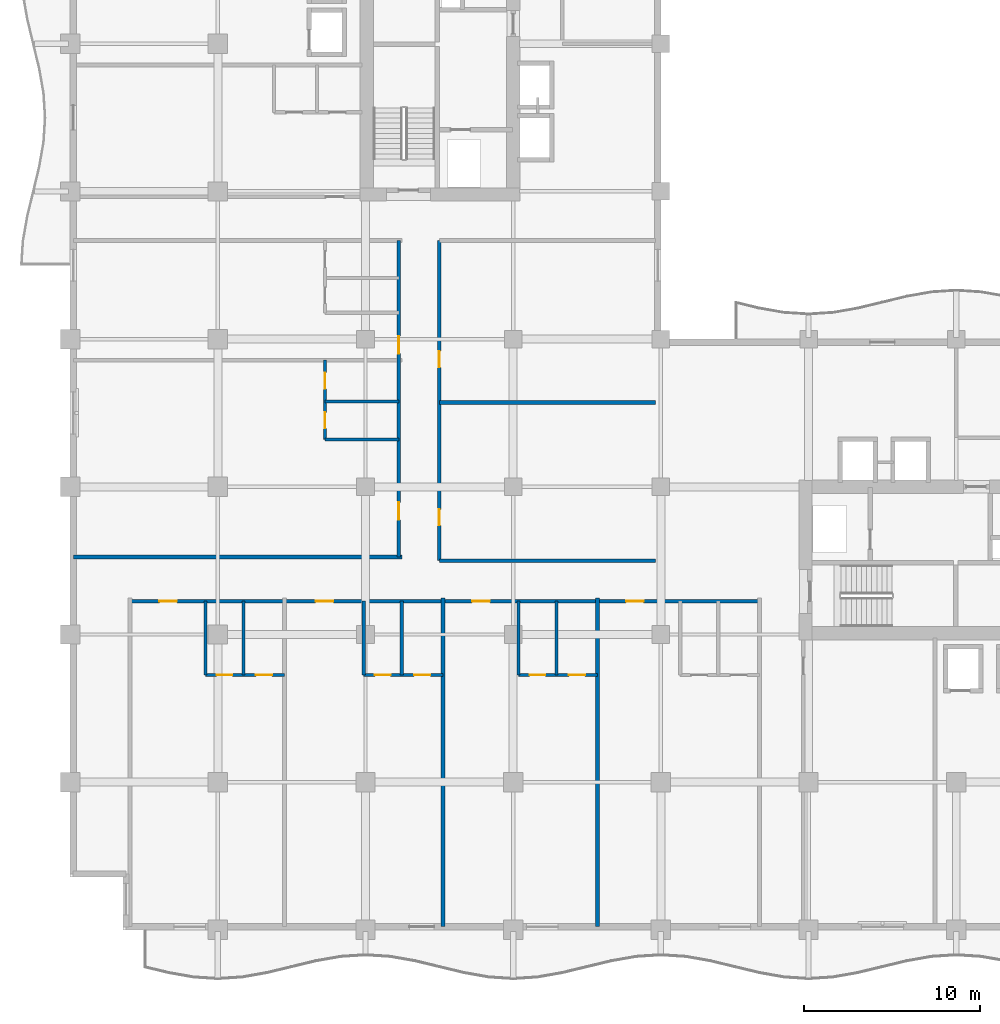
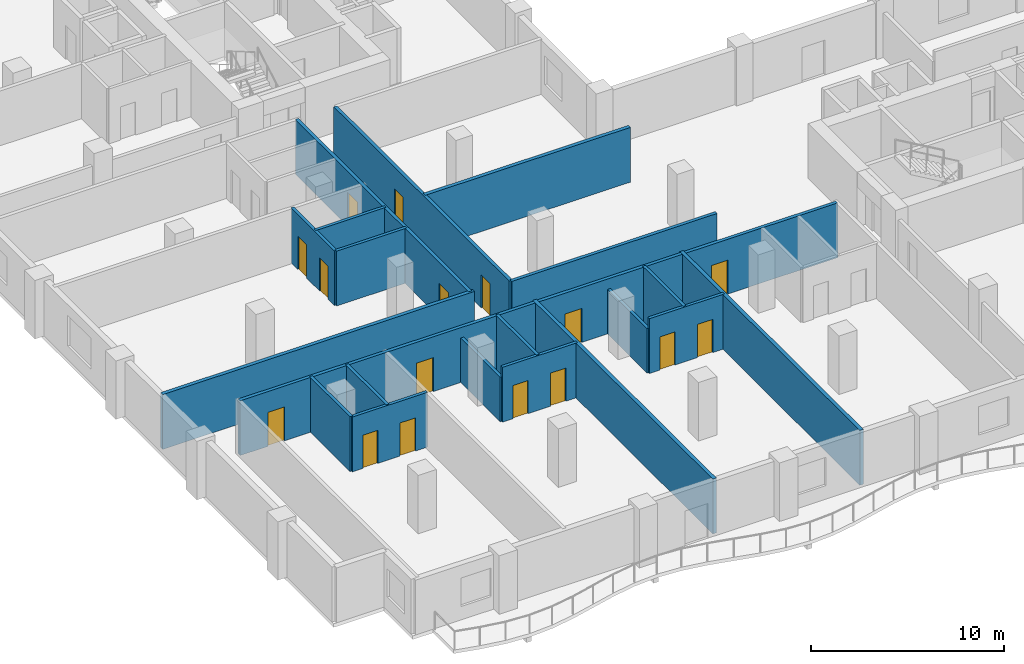
# One storey, part 7 of 20: 20 walls, 16 doors, 16 openings.
"""IFC4 building model written with IfcOpenShell, lengths in metres."""

from ifc_helpers import new_model, si_unit, direction, frame, frame_2d, origin, place, context, subcontext, project, spatial, rectangle, extrude, material, layer, layer_set, type_object, element, fill, save


model = new_model("IFC4")

# Units and contexts
model_context = context("Model", 3, precision=1e-05, world=origin(), true_north=direction((0.0, 1.0)))
body_context = subcontext(model_context, "Body", "Model", "MODEL_VIEW")
ifc_project = project(units=[si_unit("LENGTHUNIT", "METRE"), si_unit("AREAUNIT", "SQUARE_METRE"), si_unit("VOLUMEUNIT", "CUBIC_METRE"), si_unit("PLANEANGLEUNIT", "RADIAN"), si_unit("MASSUNIT", "GRAM", prefix="KILO")], contexts=[model_context])

# Site, building, storey
site_placement = place(None, origin())
site = spatial("IfcSite", under=ifc_project, at=site_placement, CompositionType="ELEMENT")
building_placement = place(site_placement, origin())
building = spatial("IfcBuilding", under=site, at=building_placement, Name="Koriwani Terraces Tower", CompositionType="ELEMENT")
storey_placement = place(building_placement, frame((0.0, 0.0, 175.39990234375)))
storey = spatial("IfcBuildingStorey", under=building, at=storey_placement, Name="L42", CompositionType="ELEMENT", Elevation=175.39990234375)

# Wall, openings, doors
ifc_material_1 = material(Name="Autoclaved Cellular Concrete Blockwork", Category="masonry")
ifc_layer_1 = layer(ifc_material_1, 0.199951171875, Name="Autoclaved Cellular Concrete Blockwork")
ifc_layer_set_1 = layer_set([ifc_layer_1], Name="Autoclaved Cellular Concrete Blockwork")
wall_type_1 = type_object("IfcWallType", Name="WALL_CORRIDOR_200", PredefinedType="PARTITIONING", material=ifc_layer_set_1)
wall_1_placement = place(storey_placement, frame((21.0, 21.0, 0.0), z_axis=(0.0, 0.0, 1.0), x_axis=(0.0, 1.0, 0.0)))
wall_1 = element("IfcWall", 1, at=wall_1_placement, inside=storey, type_object=wall_type_1, Name="L42 Interior Wall WIC2-W-L42", PredefinedType="PARTITIONING", context=body_context, shape_type="SweptSolid", body=[
    extrude(rectangle(XDim=18.199951171875, YDim=0.199951171875, at=frame_2d((9.10009765625, 0.0))), origin(), (0.0, 0.0, 1.0), 3.47021484375),
])
opening_1_placement = place(wall_1_placement, frame((2.0, 0.0, 0.0)))
opening_1 = element("IfcOpeningElement", 2, at=opening_1_placement, cuts=wall_1, Name="Opening D-06", PredefinedType="OPENING", context=body_context, shape_type="SweptSolid", body=[
    extrude(rectangle(XDim=0.919921875, YDim=2.10009765625, at=frame_2d((0.4599609375, 1.050048828125))), frame((0.0, 0.10986328125, 0.0), z_axis=(0.0, -1.0, 0.0), x_axis=(1.0, 0.0, 0.0)), (0.0, 0.0, 1.0), 0.219970703125),
])
opening_2_placement = place(wall_1_placement, frame((11.0, 0.0, 0.0)))
opening_2 = element("IfcOpeningElement", 3, at=opening_2_placement, cuts=wall_1, Name="Opening D-06", PredefinedType="OPENING", context=body_context, shape_type="SweptSolid", body=[
    extrude(rectangle(XDim=0.919921875, YDim=2.10009765625, at=frame_2d((0.4599609375, 1.050048828125))), frame((0.0, 0.10986328125, 0.0), z_axis=(0.0, -1.0, 0.0), x_axis=(1.0, 0.0, 0.0)), (0.0, 0.0, 1.0), 0.219970703125),
])
ifc_material_2 = material(Name="Architectural Oak Fire Door", Category="wood")
door_type_1 = type_object("IfcDoorType", Name="DOOR_ROOM_INT_920X2100", OperationType="NOTDEFINED", PredefinedType="DOOR", material=ifc_material_2)
door_1_placement = place(opening_1_placement, origin())
door_1 = element("IfcDoor", 4, at=door_1_placement, inside=storey, type_object=door_type_1, Name="L42 Inner Court Salon Door", OperationType="SINGLE_SWING_RIGHT", OverallHeight=2.10009765625, OverallWidth=0.919921875, PredefinedType="DOOR", context=body_context, shape_type="SweptSolid", body=[
    extrude(rectangle(XDim=0.919921875, YDim=2.10009765625, at=frame_2d((0.4599609375, 1.050048828125))), frame((0.0, 0.02490234375, 0.0), z_axis=(0.0, -1.0, 0.0), x_axis=(1.0, 0.0, 0.0)), (0.0, 0.0, 1.0), 0.050048828125),
])
fill(opening_1, door_1)
door_2_placement = place(opening_2_placement, origin())
door_2 = element("IfcDoor", 5, at=door_2_placement, inside=storey, type_object=door_type_1, Name="L42 Inner Court Media Room Door", OperationType="SINGLE_SWING_LEFT", OverallHeight=2.10009765625, OverallWidth=0.919921875, PredefinedType="DOOR", context=body_context, shape_type="SweptSolid", body=[
    extrude(rectangle(XDim=0.919921875, YDim=2.10009765625, at=frame_2d((0.4599609375, 1.050048828125))), frame((0.0, 0.02490234375, 0.0), z_axis=(0.0, -1.0, 0.0), x_axis=(1.0, 0.0, 0.0)), (0.0, 0.0, 1.0), 0.050048828125),
])
fill(opening_2, door_2)

# Wall
wall_2_placement = place(storey_placement, frame((21.0, 21.0, 0.0), z_axis=(0.0, 0.0, 1.0), x_axis=(1.0, 0.0, 0.0)))
element("IfcWall", 6, at=wall_2_placement, inside=storey, type_object=wall_type_1, Name="L42 Interior Wall WIC2-S-L42", PredefinedType="PARTITIONING", context=body_context, shape_type="SweptSolid", body=[
    extrude(rectangle(XDim=12.300048828125, YDim=0.199951171875, at=frame_2d((6.14990234375, 0.0))), origin(), (0.0, 0.0, 1.0), 3.47021484375),
])

# Wall, openings, doors
wall_3_placement = place(storey_placement, frame((3.39990234375, 18.699951171875, 0.0), z_axis=(0.0, 0.0, 1.0), x_axis=(1.0, 0.0, 0.0)))
wall_3 = element("IfcWall", 7, at=wall_3_placement, inside=storey, type_object=wall_type_1, Name="L42 Interior Wall WRCOR-L42-SW-0", PredefinedType="PARTITIONING", context=body_context, shape_type="SweptSolid", body=[
    extrude(rectangle(XDim=35.800048828125, YDim=0.199951171875, at=frame_2d((17.89990234375, 0.0))), origin(), (0.0, 0.0, 1.0), 3.47021484375),
])
opening_3_placement = place(wall_3_placement, frame((1.669921875, 0.0, 0.0)))
opening_3 = element("IfcOpeningElement", 8, at=opening_3_placement, cuts=wall_3, Name="Opening D-05", PredefinedType="OPENING", context=body_context, shape_type="SweptSolid", body=[
    extrude(rectangle(XDim=1.0, YDim=2.14990234375, at=frame_2d((0.5, 1.074951171875))), frame((0.0, 0.10986328125, 0.0), z_axis=(0.0, -1.0, 0.0), x_axis=(1.0, 0.0, 0.0)), (0.0, 0.0, 1.0), 0.219970703125),
])
opening_4_placement = place(wall_3_placement, frame((10.570068359375, 0.0, 0.0)))
opening_4 = element("IfcOpeningElement", 9, at=opening_4_placement, cuts=wall_3, Name="Opening D-05", PredefinedType="OPENING", context=body_context, shape_type="SweptSolid", body=[
    extrude(rectangle(XDim=1.0, YDim=2.14990234375, at=frame_2d((0.5, 1.074951171875))), frame((0.0, 0.10986328125, 0.0), z_axis=(0.0, -1.0, 0.0), x_axis=(1.0, 0.0, 0.0)), (0.0, 0.0, 1.0), 0.219970703125),
])
opening_5_placement = place(wall_3_placement, frame((19.469970703125, 0.0, 0.0)))
opening_5 = element("IfcOpeningElement", 10, at=opening_5_placement, cuts=wall_3, Name="Opening D-05", PredefinedType="OPENING", context=body_context, shape_type="SweptSolid", body=[
    extrude(rectangle(XDim=1.0, YDim=2.14990234375, at=frame_2d((0.5, 1.074951171875))), frame((0.0, 0.10986328125, 0.0), z_axis=(0.0, -1.0, 0.0), x_axis=(1.0, 0.0, 0.0)), (0.0, 0.0, 1.0), 0.219970703125),
])
opening_6_placement = place(wall_3_placement, frame((28.219970703125, 0.0, 0.0)))
opening_6 = element("IfcOpeningElement", 11, at=opening_6_placement, cuts=wall_3, Name="Opening D-05", PredefinedType="OPENING", context=body_context, shape_type="SweptSolid", body=[
    extrude(rectangle(XDim=1.0, YDim=2.14990234375, at=frame_2d((0.5, 1.074951171875))), frame((0.0, 0.10986328125, 0.0), z_axis=(0.0, -1.0, 0.0), x_axis=(1.0, 0.0, 0.0)), (0.0, 0.0, 1.0), 0.219970703125),
])
door_type_2 = type_object("IfcDoorType", Name="DOOR_SUITE_ENTRY_1000X2150", OperationType="NOTDEFINED", PredefinedType="DOOR", material=ifc_material_2)
door_3_placement = place(opening_3_placement, origin())
door_3 = element("IfcDoor", 12, at=door_3_placement, inside=storey, type_object=door_type_2, Name="Apartment 42SW1 Entrance Door", OperationType="SINGLE_SWING_RIGHT", OverallHeight=2.14990234375, OverallWidth=1.0, PredefinedType="DOOR", context=body_context, shape_type="SweptSolid", body=[
    extrude(rectangle(XDim=1.0, YDim=2.14990234375, at=frame_2d((0.5, 1.074951171875))), frame((0.0, 0.02490234375, 0.0), z_axis=(0.0, -1.0, 0.0), x_axis=(1.0, 0.0, 0.0)), (0.0, 0.0, 1.0), 0.050048828125),
])
fill(opening_3, door_3)
door_4_placement = place(opening_4_placement, origin())
door_4 = element("IfcDoor", 13, at=door_4_placement, inside=storey, type_object=door_type_2, Name="Apartment 42SW2 Entrance Door", OperationType="SINGLE_SWING_LEFT", OverallHeight=2.14990234375, OverallWidth=1.0, PredefinedType="DOOR", context=body_context, shape_type="SweptSolid", body=[
    extrude(rectangle(XDim=1.0, YDim=2.14990234375, at=frame_2d((0.5, 1.074951171875))), frame((0.0, 0.02490234375, 0.0), z_axis=(0.0, -1.0, 0.0), x_axis=(1.0, 0.0, 0.0)), (0.0, 0.0, 1.0), 0.050048828125),
])
fill(opening_4, door_4)
door_5_placement = place(opening_5_placement, origin())
door_5 = element("IfcDoor", 14, at=door_5_placement, inside=storey, type_object=door_type_2, Name="Apartment 42SW3 Entrance Door", OperationType="SINGLE_SWING_RIGHT", OverallHeight=2.14990234375, OverallWidth=1.0, PredefinedType="DOOR", context=body_context, shape_type="SweptSolid", body=[
    extrude(rectangle(XDim=1.0, YDim=2.14990234375, at=frame_2d((0.5, 1.074951171875))), frame((0.0, 0.02490234375, 0.0), z_axis=(0.0, -1.0, 0.0), x_axis=(1.0, 0.0, 0.0)), (0.0, 0.0, 1.0), 0.050048828125),
])
fill(opening_5, door_5)
door_6_placement = place(opening_6_placement, origin())
door_6 = element("IfcDoor", 15, at=door_6_placement, inside=storey, type_object=door_type_2, Name="Apartment 42SW4 Entrance Door", OperationType="SINGLE_SWING_LEFT", OverallHeight=2.14990234375, OverallWidth=1.0, PredefinedType="DOOR", context=body_context, shape_type="SweptSolid", body=[
    extrude(rectangle(XDim=1.0, YDim=2.14990234375, at=frame_2d((0.5, 1.074951171875))), frame((0.0, 0.02490234375, 0.0), z_axis=(0.0, -1.0, 0.0), x_axis=(1.0, 0.0, 0.0)), (0.0, 0.0, 1.0), 0.050048828125),
])
fill(opening_6, door_6)

wall_4_placement = place(storey_placement, frame((18.699951171875, 21.199951171875, 0.0), z_axis=(0.0, 0.0, 1.0), x_axis=(0.0, 1.0, 0.0)))
wall_4 = element("IfcWall", 16, at=wall_4_placement, inside=storey, type_object=wall_type_1, Name="L42 Interior Wall WRCOR-L42-NW-0", PredefinedType="PARTITIONING", context=body_context, shape_type="SweptSolid", body=[
    extrude(rectangle(XDim=18.0, YDim=0.199951171875, at=frame_2d((9.0, 0.0))), origin(), (0.0, 0.0, 1.0), 3.47021484375),
])
opening_7_placement = place(wall_4_placement, frame((2.1201171875, 0.0, 0.0)))
opening_7 = element("IfcOpeningElement", 17, at=opening_7_placement, cuts=wall_4, Name="Opening D-05", PredefinedType="OPENING", context=body_context, shape_type="SweptSolid", body=[
    extrude(rectangle(XDim=1.0, YDim=2.14990234375, at=frame_2d((0.5, 1.074951171875))), frame((0.0, 0.10986328125, 0.0), z_axis=(0.0, -1.0, 0.0), x_axis=(1.0, 0.0, 0.0)), (0.0, 0.0, 1.0), 0.219970703125),
])
opening_8_placement = place(wall_4_placement, frame((11.570068359375, 0.0, 0.0)))
opening_8 = element("IfcOpeningElement", 18, at=opening_8_placement, cuts=wall_4, Name="Opening D-05", PredefinedType="OPENING", context=body_context, shape_type="SweptSolid", body=[
    extrude(rectangle(XDim=1.0, YDim=2.14990234375, at=frame_2d((0.5, 1.074951171875))), frame((0.0, 0.10986328125, 0.0), z_axis=(0.0, -1.0, 0.0), x_axis=(1.0, 0.0, 0.0)), (0.0, 0.0, 1.0), 0.219970703125),
])
door_7_placement = place(opening_7_placement, origin())
door_7 = element("IfcDoor", 19, at=door_7_placement, inside=storey, type_object=door_type_2, Name="Apartment 42NW1 Entrance Door", OperationType="SINGLE_SWING_RIGHT", OverallHeight=2.14990234375, OverallWidth=1.0, PredefinedType="DOOR", context=body_context, shape_type="SweptSolid", body=[
    extrude(rectangle(XDim=1.0, YDim=2.14990234375, at=frame_2d((0.5, 1.074951171875))), frame((0.0, 0.02490234375, 0.0), z_axis=(0.0, -1.0, 0.0), x_axis=(1.0, 0.0, 0.0)), (0.0, 0.0, 1.0), 0.050048828125),
])
fill(opening_7, door_7)
door_8_placement = place(opening_8_placement, origin())
door_8 = element("IfcDoor", 20, at=door_8_placement, inside=storey, type_object=door_type_2, Name="Apartment 42NW2 Entrance Door", OperationType="SINGLE_SWING_LEFT", OverallHeight=2.14990234375, OverallWidth=1.0, PredefinedType="DOOR", context=body_context, shape_type="SweptSolid", body=[
    extrude(rectangle(XDim=1.0, YDim=2.14990234375, at=frame_2d((0.5, 1.074951171875))), frame((0.0, 0.02490234375, 0.0), z_axis=(0.0, -1.0, 0.0), x_axis=(1.0, 0.0, 0.0)), (0.0, 0.0, 1.0), 0.050048828125),
])
fill(opening_8, door_8)

# Walls
ifc_layer_2 = layer(ifc_material_1, 0.219970703125, Name="Autoclaved Cellular Concrete Blockwork")
ifc_layer_set_2 = layer_set([ifc_layer_2], Name="Autoclaved Cellular Concrete Blockwork")
wall_type_2 = type_object("IfcWallType", Name="WALL_DEMISING_220", PredefinedType="PARTITIONING", material=ifc_layer_set_2)
wall_5_placement = place(storey_placement, frame((21.0, 30.0, 0.0), z_axis=(0.0, 0.0, 1.0), x_axis=(1.0, 0.0, 0.0)))
element("IfcWall", 21, at=wall_5_placement, inside=storey, type_object=wall_type_2, Name="L42 Interior Wall WIC2-M-L42", PredefinedType="PARTITIONING", context=body_context, shape_type="SweptSolid", body=[
    extrude(rectangle(XDim=12.300048828125, YDim=0.219970703125, at=frame_2d((6.14990234375, 0.0))), origin(), (0.0, 0.0, 1.0), 3.47021484375),
])
for number, where, z_axis, x_axis, name in (
    (22, (21.199951171875, 0.199951171875, 0.0), (0.0, 0.0, 1.0), (0.0, 1.0, 0.0), "L42 Interior Wall WRDEM-L42-SW-2"),
    (23, (30.0, 0.199951171875, 0.0), (0.0, 0.0, 1.0), (0.0, 1.0, 0.0), "L42 Interior Wall WRDEM-L42-SW-3"),
    (24, (0.199951171875, 21.199951171875, 0.0), (0.0, 0.0, 1.0), (1.0, 0.0, 0.0), "L42 Interior Wall WRDEM-L42-NW-0"),
):
    element("IfcWall", number, at=place(storey_placement, frame(where, z_axis=z_axis, x_axis=x_axis)), inside=storey, type_object=wall_type_2, Name=name, PredefinedType="PARTITIONING", context=body_context, shape_type="SweptSolid", body=[
        extrude(rectangle(XDim=18.679931640625, YDim=0.219970703125, at=frame_2d((9.33984375, 0.0))), origin(), (0.0, 0.0, 1.0), 3.47021484375),
    ])

# Wall, openings, doors
ifc_material_3 = material(Name="Fire-Rated Acoustic Gypsum Partition", Category="masonry")
ifc_layer_3 = layer(ifc_material_3, 0.179931640625, Name="Fire-Rated Acoustic Gypsum Partition")
ifc_layer_set_3 = layer_set([ifc_layer_3], Name="Fire-Rated Acoustic Gypsum Partition")
wall_type_3 = type_object("IfcWallType", Name="WALL_PLUMBING_180", PredefinedType="PLUMBINGWALL", material=ifc_layer_set_3)
wall_6_placement = place(storey_placement, frame((7.699951171875, 14.5, 0.0), z_axis=(0.0, 0.0, 1.0), x_axis=(1.0, 0.0, 0.0)))
wall_6 = element("IfcWall", 25, at=wall_6_placement, inside=storey, type_object=wall_type_3, Name="L42 Interior Wall WRSVC-L42-SW-0", PredefinedType="PLUMBINGWALL", context=body_context, shape_type="SweptSolid", body=[
    extrude(rectangle(XDim=4.5, YDim=0.179931640625, at=frame_2d((2.25, 0.0))), origin(), (0.0, 0.0, 1.0), 3.47021484375),
])
opening_9_placement = place(wall_6_placement, frame((0.6298828125, 0.0, 0.0)))
opening_9 = element("IfcOpeningElement", 26, at=opening_9_placement, cuts=wall_6, Name="Opening D-07", PredefinedType="OPENING", context=body_context, shape_type="SweptSolid", body=[
    extrude(rectangle(XDim=0.89990234375, YDim=2.10009765625, at=frame_2d((0.449951171875, 1.050048828125))), frame((0.0, 0.10009765625, 0.0), z_axis=(0.0, -1.0, 0.0), x_axis=(1.0, 0.0, 0.0)), (0.0, 0.0, 1.0), 0.199951171875),
])
opening_10_placement = place(wall_6_placement, frame((2.8701171875, 0.0, 0.0)))
opening_10 = element("IfcOpeningElement", 27, at=opening_10_placement, cuts=wall_6, Name="Opening D-06", PredefinedType="OPENING", context=body_context, shape_type="SweptSolid", body=[
    extrude(rectangle(XDim=0.919921875, YDim=2.10009765625, at=frame_2d((0.4599609375, 1.050048828125))), frame((0.0, 0.10009765625, 0.0), z_axis=(0.0, -1.0, 0.0), x_axis=(1.0, 0.0, 0.0)), (0.0, 0.0, 1.0), 0.199951171875),
])
door_type_3 = type_object("IfcDoorType", Name="DOOR_BATH_INT_900X2100", OperationType="NOTDEFINED", PredefinedType="DOOR", material=ifc_material_2)
door_9_placement = place(opening_9_placement, origin())
door_9 = element("IfcDoor", 28, at=door_9_placement, inside=storey, type_object=door_type_3, Name="Apartment 42SW1 Bathroom Door", OperationType="SINGLE_SWING_LEFT", OverallHeight=2.10009765625, OverallWidth=0.89990234375, PredefinedType="DOOR", context=body_context, shape_type="SweptSolid", body=[
    extrude(rectangle(XDim=0.89990234375, YDim=2.10009765625, at=frame_2d((0.449951171875, 1.050048828125))), frame((0.0, 0.02490234375, 0.0), z_axis=(0.0, -1.0, 0.0), x_axis=(1.0, 0.0, 0.0)), (0.0, 0.0, 1.0), 0.050048828125),
])
fill(opening_9, door_9)
door_10_placement = place(opening_10_placement, origin())
door_10 = element("IfcDoor", 29, at=door_10_placement, inside=storey, type_object=door_type_1, Name="Apartment 42SW1 Kitchen Door", OperationType="SINGLE_SWING_RIGHT", OverallHeight=2.10009765625, OverallWidth=0.919921875, PredefinedType="DOOR", context=body_context, shape_type="SweptSolid", body=[
    extrude(rectangle(XDim=0.919921875, YDim=2.10009765625, at=frame_2d((0.4599609375, 1.050048828125))), frame((0.0, 0.02490234375, 0.0), z_axis=(0.0, -1.0, 0.0), x_axis=(1.0, 0.0, 0.0)), (0.0, 0.0, 1.0), 0.050048828125),
])
fill(opening_10, door_10)

# Walls
for number, where, z_axis, x_axis, name in (
    (30, (7.699951171875, 14.5, 0.0), (0.0, 0.0, 1.0), (0.0, 1.0, 0.0), "L42 Interior Wall WRSVCS-L42-SW-0"),
    (31, (9.860107421875, 14.5, 0.0), (0.0, 0.0, 1.0), (0.0, 1.0, 0.0), "L42 Interior Wall WRSVCM-L42-SW-0"),
):
    element("IfcWall", number, at=place(storey_placement, frame(where, z_axis=z_axis, x_axis=x_axis)), inside=storey, type_object=wall_type_3, Name=name, PredefinedType="PLUMBINGWALL", context=body_context, shape_type="SweptSolid", body=[
        extrude(rectangle(XDim=4.199951171875, YDim=0.179931640625, at=frame_2d((2.10009765625, 0.0))), origin(), (0.0, 0.0, 1.0), 3.47021484375),
    ])

# Wall, openings, doors
wall_7_placement = place(storey_placement, frame((16.699951171875, 14.5, 0.0), z_axis=(0.0, 0.0, 1.0), x_axis=(1.0, 0.0, 0.0)))
wall_7 = element("IfcWall", 32, at=wall_7_placement, inside=storey, type_object=wall_type_3, Name="L42 Interior Wall WRSVC-L42-SW-1", PredefinedType="PLUMBINGWALL", context=body_context, shape_type="SweptSolid", body=[
    extrude(rectangle(XDim=4.5, YDim=0.179931640625, at=frame_2d((2.25, 0.0))), origin(), (0.0, 0.0, 1.0), 3.47021484375),
])
opening_11_placement = place(wall_7_placement, frame((0.6298828125, 0.0, 0.0)))
opening_11 = element("IfcOpeningElement", 33, at=opening_11_placement, cuts=wall_7, Name="Opening D-07", PredefinedType="OPENING", context=body_context, shape_type="SweptSolid", body=[
    extrude(rectangle(XDim=0.89990234375, YDim=2.10009765625, at=frame_2d((0.449951171875, 1.050048828125))), frame((0.0, 0.10009765625, 0.0), z_axis=(0.0, -1.0, 0.0), x_axis=(1.0, 0.0, 0.0)), (0.0, 0.0, 1.0), 0.199951171875),
])
opening_12_placement = place(wall_7_placement, frame((2.8701171875, 0.0, 0.0)))
opening_12 = element("IfcOpeningElement", 34, at=opening_12_placement, cuts=wall_7, Name="Opening D-06", PredefinedType="OPENING", context=body_context, shape_type="SweptSolid", body=[
    extrude(rectangle(XDim=0.919921875, YDim=2.10009765625, at=frame_2d((0.4599609375, 1.050048828125))), frame((0.0, 0.10009765625, 0.0), z_axis=(0.0, -1.0, 0.0), x_axis=(1.0, 0.0, 0.0)), (0.0, 0.0, 1.0), 0.199951171875),
])
door_11_placement = place(opening_11_placement, origin())
door_11 = element("IfcDoor", 35, at=door_11_placement, inside=storey, type_object=door_type_3, Name="Apartment 42SW2 Bathroom Door", OperationType="SINGLE_SWING_RIGHT", OverallHeight=2.10009765625, OverallWidth=0.89990234375, PredefinedType="DOOR", context=body_context, shape_type="SweptSolid", body=[
    extrude(rectangle(XDim=0.89990234375, YDim=2.10009765625, at=frame_2d((0.449951171875, 1.050048828125))), frame((0.0, 0.02490234375, 0.0), z_axis=(0.0, -1.0, 0.0), x_axis=(1.0, 0.0, 0.0)), (0.0, 0.0, 1.0), 0.050048828125),
])
fill(opening_11, door_11)
door_12_placement = place(opening_12_placement, origin())
door_12 = element("IfcDoor", 36, at=door_12_placement, inside=storey, type_object=door_type_1, Name="Apartment 42SW2 Kitchen Door", OperationType="SINGLE_SWING_LEFT", OverallHeight=2.10009765625, OverallWidth=0.919921875, PredefinedType="DOOR", context=body_context, shape_type="SweptSolid", body=[
    extrude(rectangle(XDim=0.919921875, YDim=2.10009765625, at=frame_2d((0.4599609375, 1.050048828125))), frame((0.0, 0.02490234375, 0.0), z_axis=(0.0, -1.0, 0.0), x_axis=(1.0, 0.0, 0.0)), (0.0, 0.0, 1.0), 0.050048828125),
])
fill(opening_12, door_12)

# Walls
wall_8_placement = place(storey_placement, frame((16.699951171875, 14.5, 0.0), z_axis=(0.0, 0.0, 1.0), x_axis=(0.0, 1.0, 0.0)))
element("IfcWall", 37, at=wall_8_placement, inside=storey, type_object=wall_type_3, Name="L42 Interior Wall WRSVCS-L42-SW-1", PredefinedType="PLUMBINGWALL", context=body_context, shape_type="SweptSolid", body=[
    extrude(rectangle(XDim=4.199951171875, YDim=0.179931640625, at=frame_2d((2.10009765625, 0.0))), origin(), (0.0, 0.0, 1.0), 2.820068359375),
])
wall_9_placement = place(storey_placement, frame((18.860107421875, 14.5, 0.0), z_axis=(0.0, 0.0, 1.0), x_axis=(0.0, 1.0, 0.0)))
element("IfcWall", 38, at=wall_9_placement, inside=storey, type_object=wall_type_3, Name="L42 Interior Wall WRSVCM-L42-SW-1", PredefinedType="PLUMBINGWALL", context=body_context, shape_type="SweptSolid", body=[
    extrude(rectangle(XDim=4.199951171875, YDim=0.179931640625, at=frame_2d((2.10009765625, 0.0))), origin(), (0.0, 0.0, 1.0), 3.47021484375),
])

# Wall, openings, doors
wall_10_placement = place(storey_placement, frame((25.5, 14.5, 0.0), z_axis=(0.0, 0.0, 1.0), x_axis=(1.0, 0.0, 0.0)))
wall_10 = element("IfcWall", 39, at=wall_10_placement, inside=storey, type_object=wall_type_3, Name="L42 Interior Wall WRSVC-L42-SW-2", PredefinedType="PLUMBINGWALL", context=body_context, shape_type="SweptSolid", body=[
    extrude(rectangle(XDim=4.5, YDim=0.179931640625, at=frame_2d((2.25, 0.0))), origin(), (0.0, 0.0, 1.0), 3.47021484375),
])
opening_13_placement = place(wall_10_placement, frame((0.6298828125, 0.0, 0.0)))
opening_13 = element("IfcOpeningElement", 40, at=opening_13_placement, cuts=wall_10, Name="Opening D-07", PredefinedType="OPENING", context=body_context, shape_type="SweptSolid", body=[
    extrude(rectangle(XDim=0.89990234375, YDim=2.10009765625, at=frame_2d((0.449951171875, 1.050048828125))), frame((0.0, 0.10009765625, 0.0), z_axis=(0.0, -1.0, 0.0), x_axis=(1.0, 0.0, 0.0)), (0.0, 0.0, 1.0), 0.199951171875),
])
opening_14_placement = place(wall_10_placement, frame((2.8701171875, 0.0, 0.0)))
opening_14 = element("IfcOpeningElement", 41, at=opening_14_placement, cuts=wall_10, Name="Opening D-06", PredefinedType="OPENING", context=body_context, shape_type="SweptSolid", body=[
    extrude(rectangle(XDim=0.919921875, YDim=2.10009765625, at=frame_2d((0.4599609375, 1.050048828125))), frame((0.0, 0.10009765625, 0.0), z_axis=(0.0, -1.0, 0.0), x_axis=(1.0, 0.0, 0.0)), (0.0, 0.0, 1.0), 0.199951171875),
])
door_13_placement = place(opening_13_placement, origin())
door_13 = element("IfcDoor", 42, at=door_13_placement, inside=storey, type_object=door_type_3, Name="Apartment 42SW3 Bathroom Door", OperationType="SINGLE_SWING_LEFT", OverallHeight=2.10009765625, OverallWidth=0.89990234375, PredefinedType="DOOR", context=body_context, shape_type="SweptSolid", body=[
    extrude(rectangle(XDim=0.89990234375, YDim=2.10009765625, at=frame_2d((0.449951171875, 1.050048828125))), frame((0.0, 0.02490234375, 0.0), z_axis=(0.0, -1.0, 0.0), x_axis=(1.0, 0.0, 0.0)), (0.0, 0.0, 1.0), 0.050048828125),
])
fill(opening_13, door_13)
door_14_placement = place(opening_14_placement, origin())
door_14 = element("IfcDoor", 43, at=door_14_placement, inside=storey, type_object=door_type_1, Name="Apartment 42SW3 Kitchen Door", OperationType="SINGLE_SWING_RIGHT", OverallHeight=2.10009765625, OverallWidth=0.919921875, PredefinedType="DOOR", context=body_context, shape_type="SweptSolid", body=[
    extrude(rectangle(XDim=0.919921875, YDim=2.10009765625, at=frame_2d((0.4599609375, 1.050048828125))), frame((0.0, 0.02490234375, 0.0), z_axis=(0.0, -1.0, 0.0), x_axis=(1.0, 0.0, 0.0)), (0.0, 0.0, 1.0), 0.050048828125),
])
fill(opening_14, door_14)

# Walls
wall_11_placement = place(storey_placement, frame((25.5, 14.5, 0.0), z_axis=(0.0, 0.0, 1.0), x_axis=(0.0, 1.0, 0.0)))
element("IfcWall", 44, at=wall_11_placement, inside=storey, type_object=wall_type_3, Name="L42 Interior Wall WRSVCS-L42-SW-2", PredefinedType="PLUMBINGWALL", context=body_context, shape_type="SweptSolid", body=[
    extrude(rectangle(XDim=4.199951171875, YDim=0.179931640625, at=frame_2d((2.10009765625, 0.0))), origin(), (0.0, 0.0, 1.0), 2.820068359375),
])
wall_12_placement = place(storey_placement, frame((27.659912109375, 14.5, 0.0), z_axis=(0.0, 0.0, 1.0), x_axis=(0.0, 1.0, 0.0)))
element("IfcWall", 45, at=wall_12_placement, inside=storey, type_object=wall_type_3, Name="L42 Interior Wall WRSVCM-L42-SW-2", PredefinedType="PLUMBINGWALL", context=body_context, shape_type="SweptSolid", body=[
    extrude(rectangle(XDim=4.199951171875, YDim=0.179931640625, at=frame_2d((2.10009765625, 0.0))), origin(), (0.0, 0.0, 1.0), 3.47021484375),
])

# Wall, openings, doors
wall_13_placement = place(storey_placement, frame((14.5, 27.89990234375, 0.0), z_axis=(0.0, 0.0, 1.0), x_axis=(0.0, 1.0, 0.0)))
wall_13 = element("IfcWall", 46, at=wall_13_placement, inside=storey, type_object=wall_type_3, Name="L42 Interior Wall WRSVC-L42-NW-0", PredefinedType="PLUMBINGWALL", context=body_context, shape_type="SweptSolid", body=[
    extrude(rectangle(XDim=4.5, YDim=0.179931640625, at=frame_2d((2.25, 0.0))), origin(), (0.0, 0.0, 1.0), 3.47021484375),
])
opening_15_placement = place(wall_13_placement, frame((0.6298828125, 0.0, 0.0)))
opening_15 = element("IfcOpeningElement", 47, at=opening_15_placement, cuts=wall_13, Name="Opening D-07", PredefinedType="OPENING", context=body_context, shape_type="SweptSolid", body=[
    extrude(rectangle(XDim=0.89990234375, YDim=2.10009765625, at=frame_2d((0.449951171875, 1.050048828125))), frame((0.0, 0.10009765625, 0.0), z_axis=(0.0, -1.0, 0.0), x_axis=(1.0, 0.0, 0.0)), (0.0, 0.0, 1.0), 0.199951171875),
])
opening_16_placement = place(wall_13_placement, frame((2.8701171875, 0.0, 0.0)))
opening_16 = element("IfcOpeningElement", 48, at=opening_16_placement, cuts=wall_13, Name="Opening D-06", PredefinedType="OPENING", context=body_context, shape_type="SweptSolid", body=[
    extrude(rectangle(XDim=0.919921875, YDim=2.10009765625, at=frame_2d((0.4599609375, 1.050048828125))), frame((0.0, 0.10009765625, 0.0), z_axis=(0.0, -1.0, 0.0), x_axis=(1.0, 0.0, 0.0)), (0.0, 0.0, 1.0), 0.199951171875),
])
door_15_placement = place(opening_15_placement, origin())
door_15 = element("IfcDoor", 49, at=door_15_placement, inside=storey, type_object=door_type_3, Name="Apartment 42NW1 Bathroom Door", OperationType="SINGLE_SWING_LEFT", OverallHeight=2.10009765625, OverallWidth=0.89990234375, PredefinedType="DOOR", context=body_context, shape_type="SweptSolid", body=[
    extrude(rectangle(XDim=0.89990234375, YDim=2.10009765625, at=frame_2d((0.449951171875, 1.050048828125))), frame((0.0, 0.02490234375, 0.0), z_axis=(0.0, -1.0, 0.0), x_axis=(1.0, 0.0, 0.0)), (0.0, 0.0, 1.0), 0.050048828125),
])
fill(opening_15, door_15)
door_16_placement = place(opening_16_placement, origin())
door_16 = element("IfcDoor", 50, at=door_16_placement, inside=storey, type_object=door_type_1, Name="Apartment 42NW1 Kitchen Door", OperationType="SINGLE_SWING_RIGHT", OverallHeight=2.10009765625, OverallWidth=0.919921875, PredefinedType="DOOR", context=body_context, shape_type="SweptSolid", body=[
    extrude(rectangle(XDim=0.919921875, YDim=2.10009765625, at=frame_2d((0.4599609375, 1.050048828125))), frame((0.0, 0.02490234375, 0.0), z_axis=(0.0, -1.0, 0.0), x_axis=(1.0, 0.0, 0.0)), (0.0, 0.0, 1.0), 0.050048828125),
])
fill(opening_16, door_16)

# Walls
for number, where, z_axis, x_axis, name in (
    (51, (14.5, 27.89990234375, 0.0), (0.0, 0.0, 1.0), (1.0, 0.0, 0.0), "L42 Interior Wall WRSVCS-L42-NW-0"),
    (52, (14.5, 30.06005859375, 0.0), (0.0, 0.0, 1.0), (1.0, 0.0, 0.0), "L42 Interior Wall WRSVCM-L42-NW-0"),
):
    element("IfcWall", number, at=place(storey_placement, frame(where, z_axis=z_axis, x_axis=x_axis)), inside=storey, type_object=wall_type_3, Name=name, PredefinedType="PLUMBINGWALL", context=body_context, shape_type="SweptSolid", body=[
        extrude(rectangle(XDim=4.199951171875, YDim=0.179931640625, at=frame_2d((2.10009765625, 0.0))), origin(), (0.0, 0.0, 1.0), 3.47021484375),
    ])

save(model, "model.ifc")
